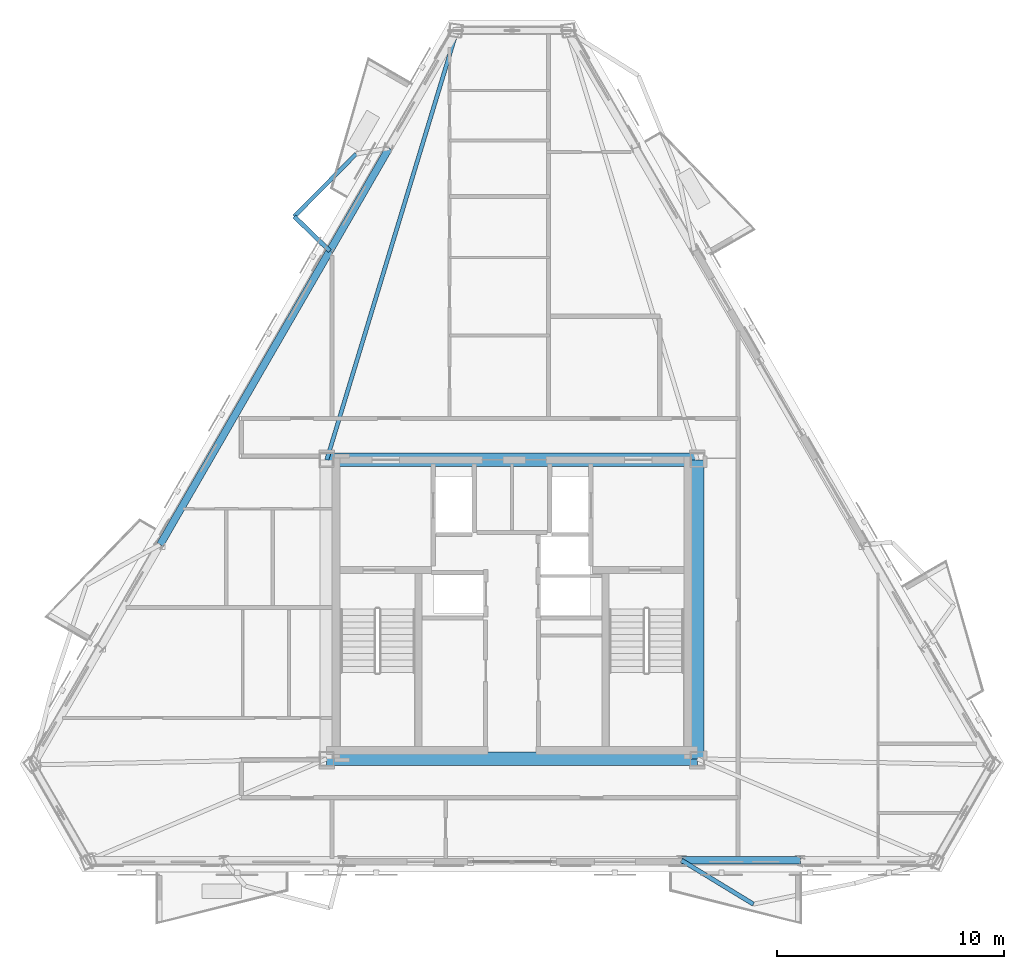
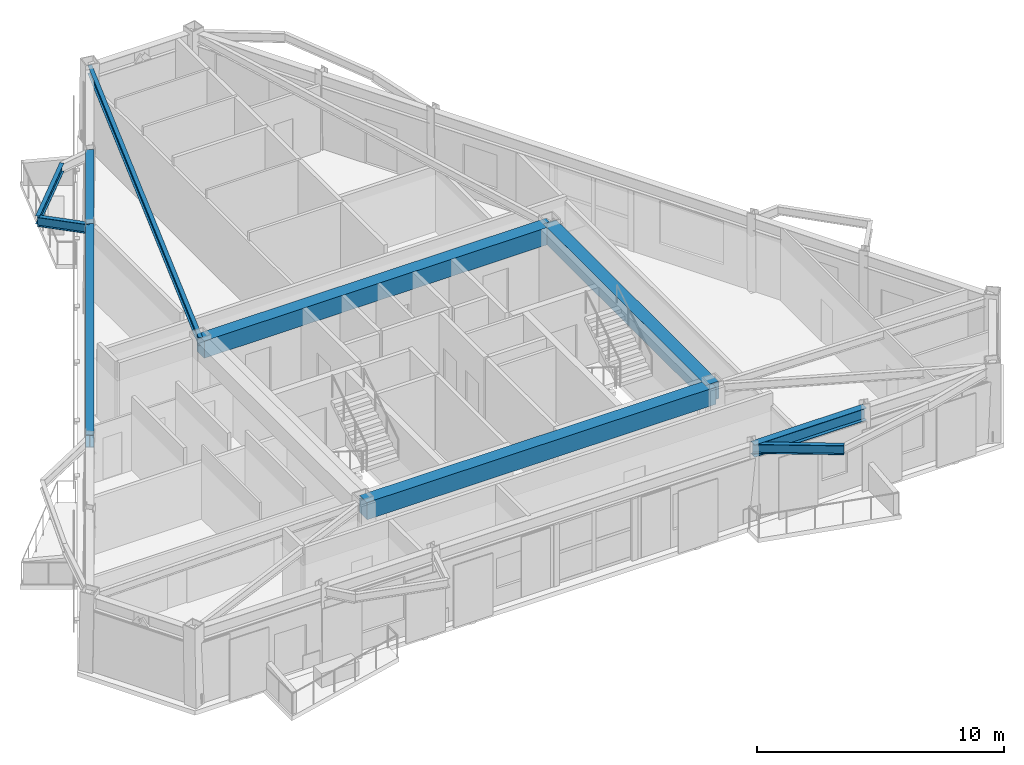
# One storey, part 3 of 15: 10 beams.
"""IFC4 building model written with IfcOpenShell, lengths in metres."""

from ifc_helpers import new_model, si_unit, direction, frame, origin, origin_2d, place, context, subcontext, project, spatial, rectangle, i_section, extrude, material, material_profile, profile_set, type_object, element, save


model = new_model("IFC4")

# Units and contexts
model_context = context("Model", 3, precision=1e-05, world=origin(), true_north=direction((0.0, 1.0)))
body_context = subcontext(model_context, "Body", "Model", "MODEL_VIEW")
ifc_project = project(units=[si_unit("LENGTHUNIT", "METRE"), si_unit("AREAUNIT", "SQUARE_METRE"), si_unit("VOLUMEUNIT", "CUBIC_METRE"), si_unit("PLANEANGLEUNIT", "RADIAN"), si_unit("MASSUNIT", "GRAM", prefix="KILO")], contexts=[model_context])

# Site, building, storey
site_placement = place(None, origin())
site = spatial("IfcSite", under=ifc_project, at=site_placement, CompositionType="ELEMENT")
building_placement = place(site_placement, origin())
building = spatial("IfcBuilding", under=site, at=building_placement, Name="Oramaril Tower", CompositionType="ELEMENT")
storey_placement = place(building_placement, frame((0.0, 0.0, 265.5)))
storey = spatial("IfcBuildingStorey", under=building, at=storey_placement, Name="L70", CompositionType="ELEMENT", Elevation=265.5)

# Beams
ifc_material_1 = material(Name="Steel ASTM A572 Gr 50", Category="steel")
ifc_material_profile_1 = material_profile(ifc_material_1, i_section(OverallWidth=0.19091796875, OverallDepth=0.45703125, WebThickness=0.009033203125, FlangeThickness=0.014404296875, at=origin_2d()), Name="W18X50")
ifc_profile_set_1 = profile_set([ifc_material_profile_1], Name="Steel ASTM A572 Gr 50")
beam_type_1 = type_object("IfcBeamType", Name="BT-BB1", PredefinedType="BEAM", material=ifc_profile_set_1)
beam_1_placement = place(storey_placement, frame((44.959228515625, 6.53466796875, 3.451416015625), z_axis=(0.853803328978, -0.520595692862, 0.0), x_axis=(0.520595692862, 0.853803328978, 0.0)))
element("IfcBeam", 1, at=beam_1_placement, inside=storey, type_object=beam_type_1, Name="L70 Balcony Column-Framed Cantilever 02.1", PredefinedType="BEAM", context=body_context, shape_type="SweptSolid", body=[
    extrude(i_section(OverallWidth=0.19091796875, OverallDepth=0.45703125, WebThickness=0.009033203125, FlangeThickness=0.014404296875, at=origin_2d()), origin(), (0.0, 0.0, 1.0), 3.7001953125),
])
beam_2_placement = place(storey_placement, frame((29.481689453125, 33.342529296875, 3.451416015625), z_axis=(-0.717252119211, 0.696813746626, 0.0), x_axis=(-0.696813746626, -0.717252119211, 0.0)))
element("IfcBeam", 2, at=beam_2_placement, inside=storey, type_object=beam_type_1, Name="L70 Balcony Column-Framed Cantilever 05.2", PredefinedType="BEAM", context=body_context, shape_type="SweptSolid", body=[
    extrude(i_section(OverallWidth=0.19091796875, OverallDepth=0.45703125, WebThickness=0.009033203125, FlangeThickness=0.014404296875, at=origin_2d()), origin(), (0.0, 0.0, 1.0), 2.174072265625),
])
ifc_material_2 = material(Name="Concrete C50/60", Category="concrete")
ifc_material_profile_2 = material_profile(ifc_material_2, rectangle(XDim=0.60009765625, YDim=0.85009765625, at=origin_2d()), Name="CB600X850")
ifc_profile_set_2 = profile_set([ifc_material_profile_2], Name="Concrete C50/60")
beam_type_2 = type_object("IfcBeamType", Name="BT-CB2", PredefinedType="BEAM", material=ifc_profile_set_2)
beam_3_placement = place(storey_placement, frame((29.35009765625, 11.0, 3.2548828125), z_axis=(1.0, 0.0, 0.0), x_axis=(0.0, 1.0, 0.0)))
element("IfcBeam", 3, at=beam_3_placement, inside=storey, type_object=beam_type_2, Name="L70 Core Header Beam CB-1", PredefinedType="BEAM", context=body_context, shape_type="SweptSolid", body=[
    extrude(rectangle(XDim=0.60009765625, YDim=0.85009765625, at=origin_2d()), origin(), (0.0, 0.0, 1.0), 16.2998046875),
])
beam_4_placement = place(storey_placement, frame((45.64990234375, 11.0, 3.2548828125), z_axis=(0.0, 1.0, 0.0), x_axis=(-1.0, 0.0, 0.0)))
element("IfcBeam", 4, at=beam_4_placement, inside=storey, type_object=beam_type_2, Name="L70 Core Header Beam CB-2", PredefinedType="BEAM", context=body_context, shape_type="SweptSolid", body=[
    extrude(rectangle(XDim=0.60009765625, YDim=0.85009765625, at=origin_2d()), origin(), (0.0, 0.0, 1.0), 13.14990234375),
])
beam_5_placement = place(storey_placement, frame((45.64990234375, 24.14990234375, 3.2548828125), z_axis=(-1.0, 0.0, 0.0), x_axis=(0.0, -1.0, 0.0)))
element("IfcBeam", 5, at=beam_5_placement, inside=storey, type_object=beam_type_2, Name="L70 Core Header Beam CB-3", PredefinedType="BEAM", context=body_context, shape_type="SweptSolid", body=[
    extrude(rectangle(XDim=0.60009765625, YDim=0.85009765625, at=origin_2d()), origin(), (0.0, 0.0, 1.0), 16.2998046875),
])
ifc_material_3 = material(Name="Steel ASTM A572 Gr 50", Category="steel")
ifc_material_profile_3 = material_profile(ifc_material_3, i_section(OverallWidth=0.177978515625, OverallDepth=0.404052734375, WebThickness=0.007568359375, FlangeThickness=0.010986328125, at=origin_2d()), Name="W16X36")
ifc_profile_set_3 = profile_set([ifc_material_profile_3], Name="Steel ASTM A572 Gr 50")
beam_type_3 = type_object("IfcBeamType", Name="BT-SB1", PredefinedType="BEAM", material=ifc_profile_set_3)
beam_6_placement = place(storey_placement, frame((29.35009765625, 24.14990234375, 3.47802734375), z_axis=(0.2902003859, 0.956965901181, 0.0), x_axis=(-0.956965901181, 0.2902003859, 0.0)))
element("IfcBeam", 6, at=beam_6_placement, inside=storey, type_object=beam_type_3, Name="L70 Radial Primary Beam RB-06", PredefinedType="BEAM", context=body_context, shape_type="SweptSolid", body=[
    extrude(i_section(OverallWidth=0.177978515625, OverallDepth=0.404052734375, WebThickness=0.007568359375, FlangeThickness=0.010986328125, at=origin_2d()), origin(), (0.0, 0.0, 1.0), 19.7314453125),
])
beam_7_placement = place(storey_placement, frame((30.64306640625, 37.60986328125, 3.47802734375), z_axis=(-0.702994511648, -0.71119527318, 0.0), x_axis=(0.71119527318, -0.702994511648, 0.0)))
element("IfcBeam", 7, at=beam_7_placement, inside=storey, type_object=beam_type_3, Name="L70 Balcony Edge Tie Beam 05", PredefinedType="BEAM", context=body_context, shape_type="SweptSolid", body=[
    extrude(i_section(OverallWidth=0.177978515625, OverallDepth=0.404052734375, WebThickness=0.007568359375, FlangeThickness=0.010986328125, at=origin_2d()), origin(), (0.0, 0.0, 1.0), 3.8701171875),
])
ifc_material_4 = material(Name="Steel ASTM A572 Gr 50", Category="steel")
ifc_material_profile_4 = material_profile(ifc_material_4, i_section(OverallWidth=0.324951171875, OverallDepth=0.612060546875, WebThickness=0.0126953125, FlangeThickness=0.01904296875, at=origin_2d()), Name="W24X104")
ifc_profile_set_4 = profile_set([ifc_material_profile_4], Name="Steel ASTM A572 Gr 50")
beam_type_4 = type_object("IfcBeamType", Name="BT-SP5", PredefinedType="SPANDREL", material=ifc_profile_set_4)
beam_8_placement = place(storey_placement, frame((44.959228515625, 6.53466796875, 3.3740234375), z_axis=(1.0, 0.0, 0.0), x_axis=(0.0, 1.0, 0.0)))
element("IfcBeam", 8, at=beam_8_placement, inside=storey, type_object=beam_type_4, Name="L70 Perimeter Spandrel 05", PredefinedType="SPANDREL", context=body_context, shape_type="SweptSolid", body=[
    extrude(i_section(OverallWidth=0.324951171875, OverallDepth=0.612060546875, WebThickness=0.0126953125, FlangeThickness=0.01904296875, at=origin_2d()), origin(), (0.0, 0.0, 1.0), 5.221435546875),
])
beam_9_placement = place(storey_placement, frame((32.09228515625, 37.8642578125, 3.3740234375), z_axis=(-0.499996341005, -0.866027516296, 0.0), x_axis=(0.866027516296, -0.499996341005, 0.0)))
element("IfcBeam", 9, at=beam_9_placement, inside=storey, type_object=beam_type_4, Name="L70 Perimeter Spandrel 15", PredefinedType="SPANDREL", context=body_context, shape_type="SweptSolid", body=[
    extrude(i_section(OverallWidth=0.324951171875, OverallDepth=0.612060546875, WebThickness=0.0126953125, FlangeThickness=0.01904296875, at=origin_2d()), origin(), (0.0, 0.0, 1.0), 5.22119140625),
])
beam_10_placement = place(storey_placement, frame((29.481689453125, 33.342529296875, 3.3740234375), z_axis=(-0.499990194396, -0.866031064979, 0.0), x_axis=(0.866031064979, -0.499990194396, 0.0)))
element("IfcBeam", 10, at=beam_10_placement, inside=storey, type_object=beam_type_4, Name="L70 Perimeter Spandrel 16", PredefinedType="SPANDREL", context=body_context, shape_type="SweptSolid", body=[
    extrude(i_section(OverallWidth=0.324951171875, OverallDepth=0.612060546875, WebThickness=0.0126953125, FlangeThickness=0.01904296875, at=origin_2d()), origin(), (0.0, 0.0, 1.0), 14.918212890625),
])

save(model, "model.ifc")
